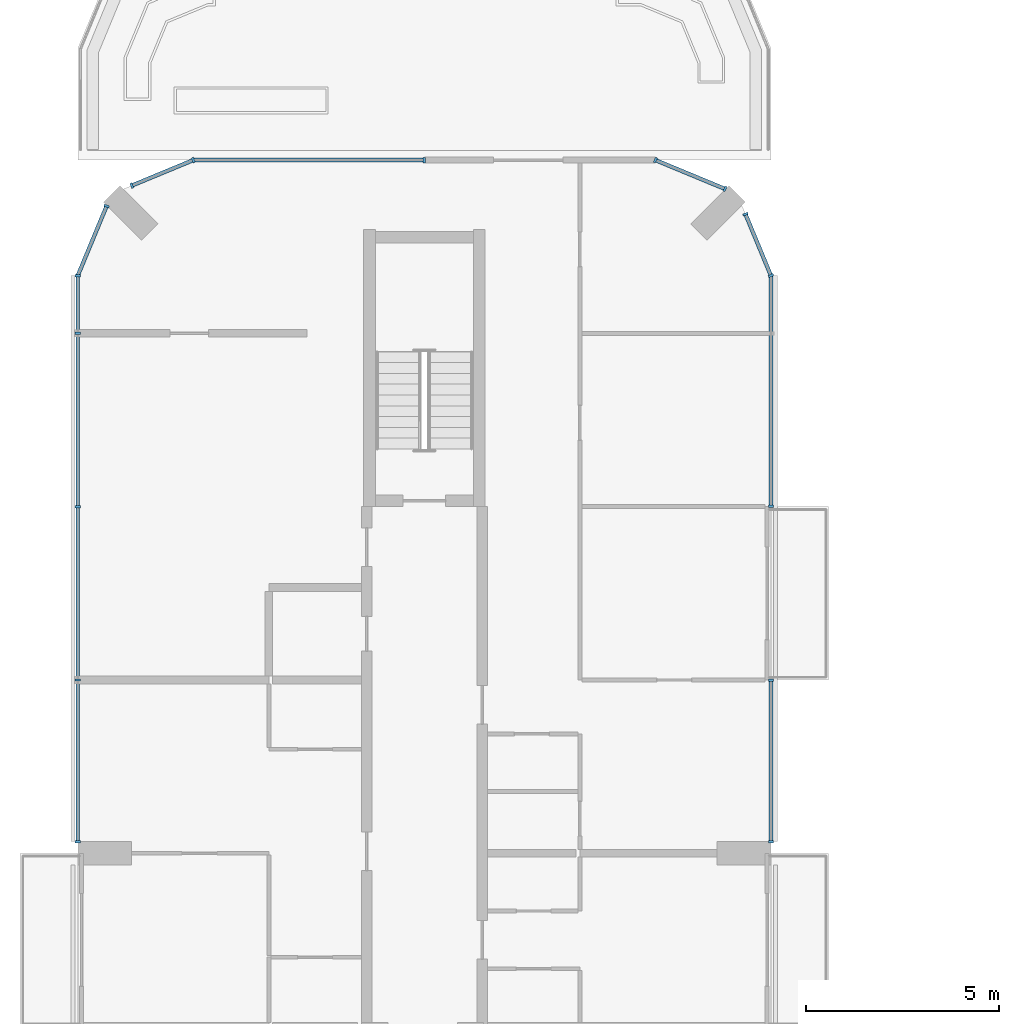
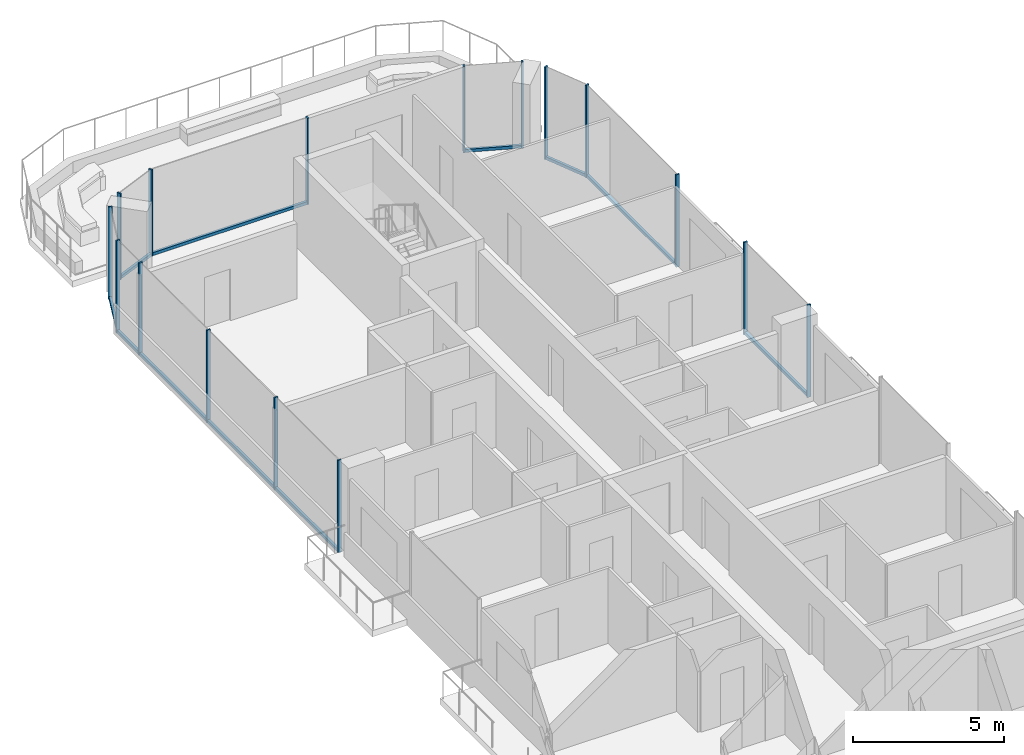
# One storey, part 7 of 17: 24 members, 8 elements without a shape of their own.
"""IFC4 building model written with IfcOpenShell, lengths in metres."""

from ifc_helpers import new_model, si_unit, direction, frame, origin, origin_2d, place, context, subcontext, project, spatial, rectangle, extrude, material, layer, layer_set, material_profile, profile_set, type_object, element, aggregate, save


model = new_model("IFC4")

# Units and contexts
model_context = context("Model", 3, precision=1e-05, world=origin(), true_north=direction((0.0, 1.0)))
body_context = subcontext(model_context, "Body", "Model", "MODEL_VIEW")
ifc_project = project(units=[si_unit("LENGTHUNIT", "METRE"), si_unit("AREAUNIT", "SQUARE_METRE"), si_unit("VOLUMEUNIT", "CUBIC_METRE"), si_unit("PLANEANGLEUNIT", "RADIAN"), si_unit("MASSUNIT", "GRAM", prefix="KILO")], contexts=[model_context])

# Site, building, storey
site_placement = place(None, origin())
site = spatial("IfcSite", under=ifc_project, at=site_placement, CompositionType="ELEMENT")
building_placement = place(site_placement, origin())
building = spatial("IfcBuilding", under=site, at=building_placement, Name="Plateau Cross Towers", CompositionType="ELEMENT")
storey_placement = place(building_placement, frame((0.0, 0.0, 225.89990234375)))
storey = spatial("IfcBuildingStorey", under=building, at=storey_placement, Name="L59", CompositionType="ELEMENT", Elevation=225.89990234375)

# Curtain wall, members
ifc_material_1 = material(Name="Dark low-iron glass", Category="glass")
ifc_layer = layer(ifc_material_1, 0.239990234375)
ifc_layer_set = layer_set([ifc_layer], Name="Dark low-iron glass")
curtain_wall_type = type_object("IfcCurtainWallType", Name="Curtain wall flush unitised CW-B", PredefinedType="NOTDEFINED", material=ifc_layer_set)
curtain_wall_1_placement = place(storey_placement, origin())
curtain_wall_1 = element("IfcCurtainWall", 1, at=curtain_wall_1_placement, inside=storey, type_object=curtain_wall_type, Name="ENV/A/L59/A180_363", PredefinedType="NOTDEFINED")
ifc_material_2 = material(Name="Black anodised aluminium", Category="aluminium")
ifc_material_profile_1 = material_profile(ifc_material_2, rectangle(XDim=0.06005859375, YDim=0.139892578125, at=origin_2d()), Name="MULLION 60x140")
ifc_profile_set_1 = profile_set([ifc_material_profile_1], Name="Black anodised aluminium")
member_type_1 = type_object("IfcMemberType", Name="Mullion 60x140 flush unitised", PredefinedType="MULLION", material=ifc_profile_set_1)
member_1_placement = place(storey_placement, frame((18.0, 36.300048828125, -0.25), z_axis=(0.0, 0.0, 1.0), x_axis=(0.0, 1.0, 0.0)))
member_1 = element("IfcMember", 2, at=member_1_placement, type_object=member_type_1, Name="CW-B mullion 1", PredefinedType="MULLION", context=body_context, shape_type="SweptSolid", body=[
    extrude(rectangle(XDim=0.06005859375, YDim=0.139892578125, at=origin_2d()), origin(), (0.0, 0.0, 1.0), 3.75),
])
member_2_placement = place(storey_placement, frame((18.0, 40.489990234375, -0.25), z_axis=(0.0, 0.0, 1.0), x_axis=(0.0, 1.0, 0.0)))
member_2 = element("IfcMember", 3, at=member_2_placement, type_object=member_type_1, Name="CW-B mullion 2", PredefinedType="MULLION", context=body_context, shape_type="SweptSolid", body=[
    extrude(rectangle(XDim=0.06005859375, YDim=0.139892578125, at=origin_2d()), origin(), (0.0, 0.0, 1.0), 3.75),
])

# Curtain wall, member
curtain_wall_2_placement = place(storey_placement, origin())
curtain_wall_2 = element("IfcCurtainWall", 4, at=curtain_wall_2_placement, inside=storey, type_object=curtain_wall_type, Name="ENV/A/L59/A180_450", PredefinedType="NOTDEFINED")
member_3_placement = place(storey_placement, frame((18.0, 45.010009765625, -0.25), z_axis=(0.0, 0.0, 1.0), x_axis=(0.0, 1.0, 0.0)))
member_3 = element("IfcMember", 5, at=member_3_placement, type_object=member_type_1, Name="CW-B mullion 1", PredefinedType="MULLION", context=body_context, shape_type="SweptSolid", body=[
    extrude(rectangle(XDim=0.06005859375, YDim=0.139892578125, at=origin_2d()), origin(), (0.0, 0.0, 1.0), 3.75),
])

# Curtain wall, members
curtain_wall_3_placement = place(storey_placement, origin())
curtain_wall_3 = element("IfcCurtainWall", 6, at=curtain_wall_3_placement, inside=storey, type_object=curtain_wall_type, Name="ENV/A/L59/A180_510", PredefinedType="NOTDEFINED")
member_4_placement = place(storey_placement, frame((18.0, 51.0, -0.25), z_axis=(0.0, 0.0, 1.0), x_axis=(-0.382683612978, 0.923879457699, 0.0)))
member_4 = element("IfcMember", 7, at=member_4_placement, type_object=member_type_1, Name="CW-B mullion 1", PredefinedType="MULLION", context=body_context, shape_type="SweptSolid", body=[
    extrude(rectangle(XDim=0.06005859375, YDim=0.139892578125, at=origin_2d()), origin(), (0.0, 0.0, 1.0), 3.75),
])
member_5_placement = place(storey_placement, frame((17.338623046875, 52.5966796875, -0.25), z_axis=(0.0, 0.0, 1.0), x_axis=(-0.382683612978, 0.923879457699, 0.0)))
member_5 = element("IfcMember", 8, at=member_5_placement, type_object=member_type_1, Name="CW-B mullion 2", PredefinedType="MULLION", context=body_context, shape_type="SweptSolid", body=[
    extrude(rectangle(XDim=0.06005859375, YDim=0.139892578125, at=origin_2d()), origin(), (0.0, 0.0, 1.0), 3.75),
])

curtain_wall_4_placement = place(storey_placement, origin())
curtain_wall_4 = element("IfcCurtainWall", 9, at=curtain_wall_4_placement, inside=storey, type_object=curtain_wall_type, Name="ENV/A/L59/A168_533", PredefinedType="NOTDEFINED")
member_6_placement = place(storey_placement, frame((16.805908203125, 53.251953125, 0.0), z_axis=(0.0, 0.0, 1.0), x_axis=(-0.923879457699, 0.382683612978, 0.0)))
member_6 = element("IfcMember", 10, at=member_6_placement, type_object=member_type_1, Name="CW-B mullion 1", PredefinedType="MULLION", context=body_context, shape_type="SweptSolid", body=[
    extrude(rectangle(XDim=0.06005859375, YDim=0.139892578125, at=origin_2d()), origin(), (0.0, 0.0, 1.0), 3.5),
])
member_7_placement = place(storey_placement, frame((15.0, 54.0, 0.0), z_axis=(0.0, 0.0, 1.0), x_axis=(-0.923879457699, 0.382683612978, 0.0)))
member_7 = element("IfcMember", 11, at=member_7_placement, type_object=member_type_1, Name="CW-B mullion 2", PredefinedType="MULLION", context=body_context, shape_type="SweptSolid", body=[
    extrude(rectangle(XDim=0.06005859375, YDim=0.139892578125, at=origin_2d()), origin(), (0.0, 0.0, 1.0), 3.5),
])

# Curtain wall, member
curtain_wall_5_placement = place(storey_placement, origin())
curtain_wall_5 = element("IfcCurtainWall", 12, at=curtain_wall_5_placement, inside=storey, type_object=curtain_wall_type, Name="ENV/A/L59/A90_540", PredefinedType="NOTDEFINED")
member_8_placement = place(storey_placement, frame((9.0, 54.0, 0.0), z_axis=(0.0, 0.0, 1.0), x_axis=(-1.0, 0.0, 0.0)))
member_8 = element("IfcMember", 13, at=member_8_placement, type_object=member_type_1, Name="CW-B mullion 1", PredefinedType="MULLION", context=body_context, shape_type="SweptSolid", body=[
    extrude(rectangle(XDim=0.06005859375, YDim=0.139892578125, at=origin_2d()), origin(), (0.0, 0.0, 1.0), 3.5),
])

# Curtain wall, members
curtain_wall_6_placement = place(storey_placement, origin())
curtain_wall_6 = element("IfcCurtainWall", 14, at=curtain_wall_6_placement, inside=storey, type_object=curtain_wall_type, Name="ENV/A/L59/A30_540", PredefinedType="NOTDEFINED")
member_9_placement = place(storey_placement, frame((3.0, 54.0, 0.0), z_axis=(0.0, 0.0, 1.0), x_axis=(-0.923879457699, -0.382683612978, 0.0)))
member_9 = element("IfcMember", 15, at=member_9_placement, type_object=member_type_1, Name="CW-B mullion 1", PredefinedType="MULLION", context=body_context, shape_type="SweptSolid", body=[
    extrude(rectangle(XDim=0.06005859375, YDim=0.139892578125, at=origin_2d()), origin(), (0.0, 0.0, 1.0), 3.5),
])
member_10_placement = place(storey_placement, frame((1.4033203125, 53.338623046875, 0.0), z_axis=(0.0, 0.0, 1.0), x_axis=(-0.923879457699, -0.382683612978, 0.0)))
member_10 = element("IfcMember", 16, at=member_10_placement, type_object=member_type_1, Name="CW-B mullion 2", PredefinedType="MULLION", context=body_context, shape_type="SweptSolid", body=[
    extrude(rectangle(XDim=0.06005859375, YDim=0.139892578125, at=origin_2d()), origin(), (0.0, 0.0, 1.0), 3.5),
])

# Curtain wall, member
curtain_wall_7_placement = place(storey_placement, origin())
curtain_wall_7 = element("IfcCurtainWall", 17, at=curtain_wall_7_placement, inside=storey, type_object=curtain_wall_type, Name="ENV/A/L59/A7_528", PredefinedType="NOTDEFINED")
member_11_placement = place(storey_placement, frame((0.748046875, 52.805908203125, -0.25), z_axis=(0.0, 0.0, 1.0), x_axis=(-0.382683612978, -0.923879457699, 0.0)))
member_11 = element("IfcMember", 18, at=member_11_placement, type_object=member_type_1, Name="CW-B mullion 1", PredefinedType="MULLION", context=body_context, shape_type="SweptSolid", body=[
    extrude(rectangle(XDim=0.06005859375, YDim=0.139892578125, at=origin_2d()), origin(), (0.0, 0.0, 1.0), 3.75),
])

# Curtain wall, members
curtain_wall_8_placement = place(storey_placement, origin())
curtain_wall_8 = element("IfcCurtainWall", 19, at=curtain_wall_8_placement, inside=storey, type_object=curtain_wall_type, Name="ENV/A/L59/A0_510", PredefinedType="NOTDEFINED")
member_12_placement = place(storey_placement, frame((0.0, 51.0, -0.25), z_axis=(0.0, 0.0, 1.0), x_axis=(0.0, -1.0, 0.0)))
member_12 = element("IfcMember", 20, at=member_12_placement, type_object=member_type_1, Name="CW-B mullion 1", PredefinedType="MULLION", context=body_context, shape_type="SweptSolid", body=[
    extrude(rectangle(XDim=0.06005859375, YDim=0.139892578125, at=origin_2d()), origin(), (0.0, 0.0, 1.0), 3.75),
])
member_13_placement = place(storey_placement, frame((0.0, 49.5, -0.25), z_axis=(0.0, 0.0, 1.0), x_axis=(0.0, -1.0, 0.0)))
member_13 = element("IfcMember", 21, at=member_13_placement, type_object=member_type_1, Name="CW-B mullion 2", PredefinedType="MULLION", context=body_context, shape_type="SweptSolid", body=[
    extrude(rectangle(XDim=0.06005859375, YDim=0.139892578125, at=origin_2d()), origin(), (0.0, 0.0, 1.0), 3.75),
])
member_14_placement = place(storey_placement, frame((0.0, 45.0, -0.25), z_axis=(0.0, 0.0, 1.0), x_axis=(0.0, -1.0, 0.0)))
member_14 = element("IfcMember", 22, at=member_14_placement, type_object=member_type_1, Name="CW-B mullion 3", PredefinedType="MULLION", context=body_context, shape_type="SweptSolid", body=[
    extrude(rectangle(XDim=0.06005859375, YDim=0.139892578125, at=origin_2d()), origin(), (0.0, 0.0, 1.0), 3.75),
])
member_15_placement = place(storey_placement, frame((0.0, 40.5, -0.25), z_axis=(0.0, 0.0, 1.0), x_axis=(0.0, -1.0, 0.0)))
member_15 = element("IfcMember", 23, at=member_15_placement, type_object=member_type_1, Name="CW-B mullion 4", PredefinedType="MULLION", context=body_context, shape_type="SweptSolid", body=[
    extrude(rectangle(XDim=0.06005859375, YDim=0.139892578125, at=origin_2d()), origin(), (0.0, 0.0, 1.0), 3.75),
])
member_16_placement = place(storey_placement, frame((0.0, 36.300048828125, -0.25), z_axis=(0.0, 0.0, 1.0), x_axis=(0.0, -1.0, 0.0)))
member_16 = element("IfcMember", 24, at=member_16_placement, type_object=member_type_1, Name="CW-B mullion 5", PredefinedType="MULLION", context=body_context, shape_type="SweptSolid", body=[
    extrude(rectangle(XDim=0.06005859375, YDim=0.139892578125, at=origin_2d()), origin(), (0.0, 0.0, 1.0), 3.75),
])

# Member
ifc_material_profile_2 = material_profile(ifc_material_2, rectangle(XDim=0.10009765625, YDim=0.1201171875, at=origin_2d()), Name="TRANSOM 100x120")
ifc_profile_set_2 = profile_set([ifc_material_profile_2], Name="Black anodised aluminium")
member_type_2 = type_object("IfcMemberType", Name="Transom 100x120 flush unitised", PredefinedType="USERDEFINED", material=ifc_profile_set_2)
member_17_placement = place(storey_placement, frame((18.0, 36.300048828125, -0.18994140625), z_axis=(0.0, 1.0, 0.0), x_axis=(-1.0, 0.0, 0.0)))
member_17 = element("IfcMember", 25, at=member_17_placement, type_object=member_type_2, Name="CW-B transom", ObjectType="TRANSOM", PredefinedType="USERDEFINED", context=body_context, shape_type="SweptSolid", body=[
    extrude(rectangle(XDim=0.10009765625, YDim=0.1201171875, at=origin_2d()), origin(), (0.0, 0.0, 1.0), 4.18994140625),
])

aggregate(curtain_wall_1, [member_1, member_2, member_17])

member_18_placement = place(storey_placement, frame((18.0, 45.010009765625, -0.18994140625), z_axis=(0.0, 1.0, 0.0), x_axis=(-1.0, 0.0, 0.0)))
member_18 = element("IfcMember", 26, at=member_18_placement, type_object=member_type_2, Name="CW-B transom", ObjectType="TRANSOM", PredefinedType="USERDEFINED", context=body_context, shape_type="SweptSolid", body=[
    extrude(rectangle(XDim=0.10009765625, YDim=0.1201171875, at=origin_2d()), origin(), (0.0, 0.0, 1.0), 5.989990234375),
])

aggregate(curtain_wall_2, [member_3, member_18])

member_19_placement = place(storey_placement, frame((18.0, 51.0, -0.18994140625), z_axis=(-0.382688653628, 0.923877369776, 0.0), x_axis=(-0.923877369776, -0.382688653628, 0.0)))
member_19 = element("IfcMember", 27, at=member_19_placement, type_object=member_type_2, Name="CW-B transom", ObjectType="TRANSOM", PredefinedType="USERDEFINED", context=body_context, shape_type="SweptSolid", body=[
    extrude(rectangle(XDim=0.10009765625, YDim=0.1201171875, at=origin_2d()), origin(), (0.0, 0.0, 1.0), 1.728271484375),
])

aggregate(curtain_wall_3, [member_4, member_5, member_19])

member_20_placement = place(storey_placement, frame((16.805908203125, 53.251953125, 0.06005859375), z_axis=(-0.92387678234, 0.382690071798, 0.0), x_axis=(-0.382690071798, -0.92387678234, 0.0)))
member_20 = element("IfcMember", 28, at=member_20_placement, type_object=member_type_2, Name="CW-B transom", ObjectType="TRANSOM", PredefinedType="USERDEFINED", context=body_context, shape_type="SweptSolid", body=[
    extrude(rectangle(XDim=0.10009765625, YDim=0.1201171875, at=origin_2d()), origin(), (0.0, 0.0, 1.0), 1.95458984375),
])

aggregate(curtain_wall_4, [member_6, member_7, member_20])

member_21_placement = place(storey_placement, frame((9.0, 54.0, 0.06005859375), z_axis=(-1.0, 0.0, 0.0), x_axis=(0.0, -1.0, 0.0)))
member_21 = element("IfcMember", 29, at=member_21_placement, type_object=member_type_2, Name="CW-B transom", ObjectType="TRANSOM", PredefinedType="USERDEFINED", context=body_context, shape_type="SweptSolid", body=[
    extrude(rectangle(XDim=0.10009765625, YDim=0.1201171875, at=origin_2d()), origin(), (0.0, 0.0, 1.0), 6.0),
])

aggregate(curtain_wall_5, [member_8, member_21])

member_22_placement = place(storey_placement, frame((3.0, 54.0, 0.06005859375), z_axis=(-0.923877369776, -0.382688653628, 0.0), x_axis=(0.382688653628, -0.923877369776, 0.0)))
member_22 = element("IfcMember", 30, at=member_22_placement, type_object=member_type_2, Name="CW-B transom", ObjectType="TRANSOM", PredefinedType="USERDEFINED", context=body_context, shape_type="SweptSolid", body=[
    extrude(rectangle(XDim=0.10009765625, YDim=0.1201171875, at=origin_2d()), origin(), (0.0, 0.0, 1.0), 1.728271484375),
])

aggregate(curtain_wall_6, [member_9, member_10, member_22])

member_23_placement = place(storey_placement, frame((0.748046875, 52.805908203125, -0.18994140625), z_axis=(-0.382690071798, -0.92387678234, 0.0), x_axis=(0.92387678234, -0.382690071798, 0.0)))
member_23 = element("IfcMember", 31, at=member_23_placement, type_object=member_type_2, Name="CW-B transom", ObjectType="TRANSOM", PredefinedType="USERDEFINED", context=body_context, shape_type="SweptSolid", body=[
    extrude(rectangle(XDim=0.10009765625, YDim=0.1201171875, at=origin_2d()), origin(), (0.0, 0.0, 1.0), 1.95458984375),
])

aggregate(curtain_wall_7, [member_11, member_23])

member_24_placement = place(storey_placement, frame((0.0, 51.0, -0.18994140625), z_axis=(0.0, -1.0, 0.0), x_axis=(1.0, 0.0, 0.0)))
member_24 = element("IfcMember", 32, at=member_24_placement, type_object=member_type_2, Name="CW-B transom", ObjectType="TRANSOM", PredefinedType="USERDEFINED", context=body_context, shape_type="SweptSolid", body=[
    extrude(rectangle(XDim=0.10009765625, YDim=0.1201171875, at=origin_2d()), origin(), (0.0, 0.0, 1.0), 14.699951171875),
])

aggregate(curtain_wall_8, [member_12, member_13, member_14, member_15, member_16, member_24])

save(model, "model.ifc")
